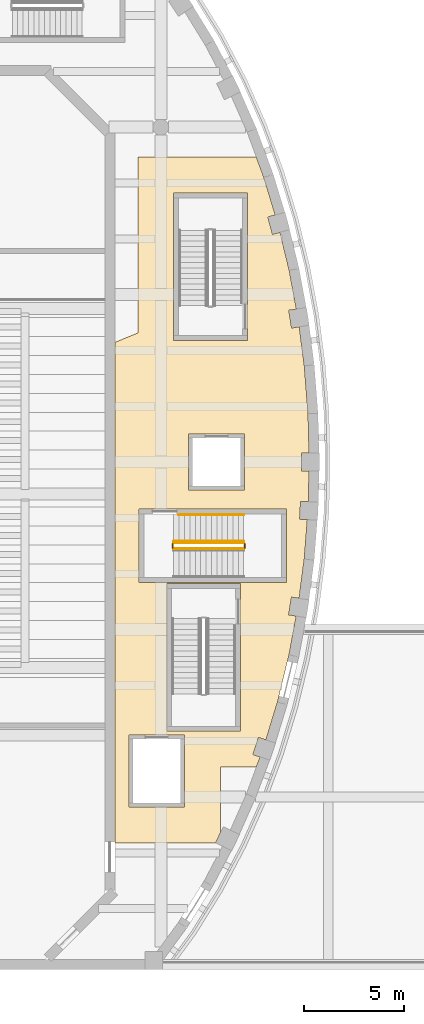
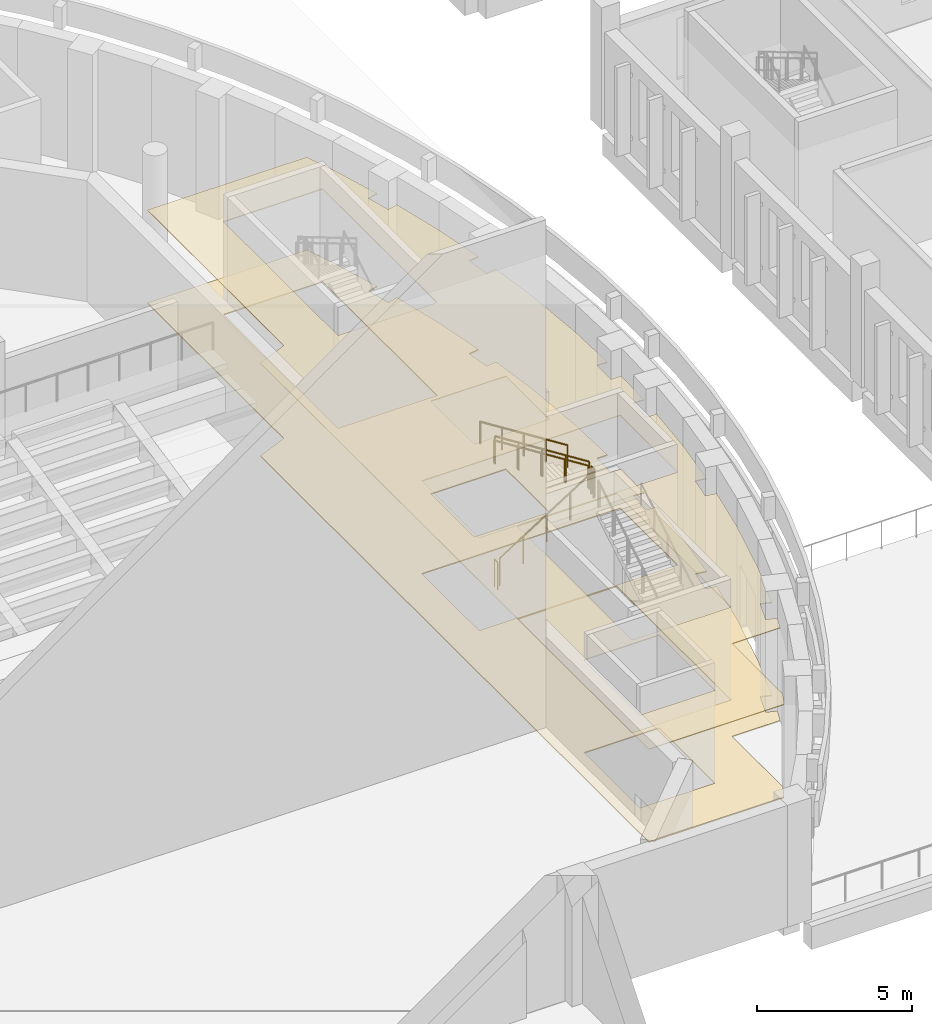
# One storey, part 104 of 119: 6 railings, 2 coverings.
"""IFC4 building model written with IfcOpenShell, lengths in metres."""

from ifc_helpers import new_model, si_unit, direction, frame, origin, origin_2d, place, context, subcontext, project, spatial, polyline, circle, outline, extrude, material, layer, layer_set, type_object, element, save


model = new_model("IFC4")

# Units and contexts
model_context = context("Model", 3, precision=1e-05, world=origin(), true_north=direction((0.0, 1.0)))
body_context = subcontext(model_context, "Body", "Model", "MODEL_VIEW")
ifc_project = project(units=[si_unit("LENGTHUNIT", "METRE"), si_unit("AREAUNIT", "SQUARE_METRE"), si_unit("VOLUMEUNIT", "CUBIC_METRE"), si_unit("PLANEANGLEUNIT", "RADIAN"), si_unit("MASSUNIT", "GRAM", prefix="KILO")], contexts=[model_context])

# Site, building, storey
site_placement = place(None, origin())
site = spatial("IfcSite", under=ifc_project, at=site_placement, CompositionType="ELEMENT")
building_placement = place(site_placement, origin())
building = spatial("IfcBuilding", under=site, at=building_placement, Name="Larchfold Concert Hall", CompositionType="ELEMENT")
storey_placement = place(building_placement, frame((0.0, 0.0, 4.800048828125)))
storey = spatial("IfcBuildingStorey", under=building, at=storey_placement, Name="L01", CompositionType="ELEMENT", Elevation=4.800048828125)

# Coverings
ifc_material_1 = material(Name="Plasterboard ceiling lining")
ifc_layer_1 = layer(ifc_material_1, 0.030029296875)
ifc_layer_set_1 = layer_set([ifc_layer_1], Name="Plasterboard ceiling lining")
covering_type_1 = type_object("IfcCoveringType", Name="Ceiling suspended plasterboard 30", PredefinedType="CEILING", material=ifc_layer_set_1)
covering_1_placement = place(storey_placement, frame((0.0, 0.0, 3.669921875)))
element("IfcCovering", 1, at=covering_1_placement, inside=storey, type_object=covering_type_1, Name="Ceiling Hall Foyer East", PredefinedType="CEILING", context=body_context, shape_type="SweptSolid", body=[
    extrude(outline(polyline([(58.24560546875, 91.080810546875), (57.10009765625, 90.606201171875), (57.10009765625, 65.5009765625), (62.1474609375, 65.5009765625), (62.399169921875, 66.0205078125), (62.3994140625, 69.29345703125), (62.408203125, 69.301025390625), (64.194091796875, 69.301025390625), (64.384521484375, 69.812255859375), (64.0185546875, 69.935791015625), (64.306884765625, 70.78857421875), (64.67333984375, 70.66455078125), (65.253662109375, 72.562255859375), (65.83203125, 74.927490234375), (66.1962890625, 76.87890625), (65.8134765625, 76.939697265625), (65.95458984375, 77.828369140625), (66.337646484375, 77.767578125), (66.5966796875, 79.73583984375), (66.751708984375, 81.716064453125), (66.3642578125, 81.736328125), (66.410888671875, 82.635009765625), (66.798583984375, 82.614990234375), (66.83837890625, 84.150146484375), (66.4501953125, 84.150146484375), (66.4501953125, 85.050048828125), (66.83837890625, 85.050048828125), (66.78759765625, 87.020263671875), (66.599853515625, 89.433837890625), (66.34423828125, 91.3876953125), (65.961181640625, 91.3271484375), (65.82080078125, 92.216064453125), (66.203857421875, 92.276611328125), (65.84423828125, 94.215087890625), (65.3798828125, 96.128173828125), (65.00634765625, 96.0263671875), (64.76953125, 96.89453125), (65.142822265625, 96.996337890625), (64.570068359375, 98.881591796875), (64.194091796875, 99.899169921875), (58.2509765625, 99.899169921875), (58.2509765625, 91.088623046875), (58.24560546875, 91.080810546875)]), holes=[polyline([(58.300048828125, 82.25), (65.699951171875, 82.25), (65.699951171875, 78.550048828125), (58.300048828125, 78.550048828125), (58.300048828125, 82.25)]), polyline([(60.050048828125, 90.699951171875), (60.050048828125, 98.10009765625), (63.75, 98.10009765625), (63.75, 90.699951171875), (60.050048828125, 90.699951171875)]), polyline([(60.800048828125, 86.0), (63.60009765625, 86.0), (63.60009765625, 83.199951171875), (60.800048828125, 83.199951171875), (60.800048828125, 86.0)]), polyline([(59.699951171875, 78.5), (63.39990234375, 78.5), (63.39990234375, 71.10009765625), (59.699951171875, 71.10009765625), (59.699951171875, 78.5)]), polyline([(57.800048828125, 67.300048828125), (57.800048828125, 70.89990234375), (60.60009765625, 70.89990234375), (60.60009765625, 67.300048828125), (57.800048828125, 67.300048828125)])]), origin(), (0.0, 0.0, 1.0), 0.030029296875),
])
ifc_material_2 = material(Name="Polished terrazzo")
ifc_layer_2 = layer(ifc_material_2, 0.0400390625)
ifc_layer_set_2 = layer_set([ifc_layer_2], Name="Polished terrazzo")
covering_type_2 = type_object("IfcCoveringType", Name="Floor finish terrazzo 40", PredefinedType="FLOORING", material=ifc_layer_set_2)
covering_2_placement = place(storey_placement, origin())
element("IfcCovering", 2, at=covering_2_placement, inside=storey, type_object=covering_type_2, Name="Floor finish Hall Foyer East", PredefinedType="FLOORING", context=body_context, shape_type="SweptSolid", body=[
    extrude(outline(polyline([(58.24560546875, 91.080810546875), (57.10009765625, 90.606201171875), (57.10009765625, 65.5009765625), (62.1474609375, 65.5009765625), (62.399169921875, 66.0205078125), (62.3994140625, 69.29345703125), (62.408203125, 69.301025390625), (64.194091796875, 69.301025390625), (64.384521484375, 69.812255859375), (64.0185546875, 69.935791015625), (64.306884765625, 70.78857421875), (64.67333984375, 70.66455078125), (65.253662109375, 72.562255859375), (65.83203125, 74.927490234375), (66.1962890625, 76.87890625), (65.8134765625, 76.939697265625), (65.95458984375, 77.828369140625), (66.337646484375, 77.767578125), (66.5966796875, 79.73583984375), (66.751708984375, 81.716064453125), (66.3642578125, 81.736328125), (66.410888671875, 82.635009765625), (66.798583984375, 82.614990234375), (66.83837890625, 84.150146484375), (66.4501953125, 84.150146484375), (66.4501953125, 85.050048828125), (66.83837890625, 85.050048828125), (66.78759765625, 87.020263671875), (66.599853515625, 89.433837890625), (66.34423828125, 91.3876953125), (65.961181640625, 91.3271484375), (65.82080078125, 92.216064453125), (66.203857421875, 92.276611328125), (65.84423828125, 94.215087890625), (65.3798828125, 96.128173828125), (65.00634765625, 96.0263671875), (64.76953125, 96.89453125), (65.142822265625, 96.996337890625), (64.570068359375, 98.881591796875), (64.194091796875, 99.899169921875), (58.2509765625, 99.899169921875), (58.2509765625, 91.088623046875), (58.24560546875, 91.080810546875)]), holes=[polyline([(58.300048828125, 82.25), (65.699951171875, 82.25), (65.699951171875, 78.550048828125), (58.300048828125, 78.550048828125), (58.300048828125, 82.25)]), polyline([(60.050048828125, 90.699951171875), (60.050048828125, 98.10009765625), (63.75, 98.10009765625), (63.75, 90.699951171875), (60.050048828125, 90.699951171875)]), polyline([(60.800048828125, 86.0), (63.60009765625, 86.0), (63.60009765625, 83.199951171875), (60.800048828125, 83.199951171875), (60.800048828125, 86.0)]), polyline([(59.699951171875, 78.5), (63.39990234375, 78.5), (63.39990234375, 71.10009765625), (59.699951171875, 71.10009765625), (59.699951171875, 78.5)]), polyline([(57.800048828125, 67.300048828125), (57.800048828125, 70.89990234375), (60.60009765625, 70.89990234375), (60.60009765625, 67.300048828125), (57.800048828125, 67.300048828125)])]), origin(), (0.0, 0.0, 1.0), 0.0400390625),
])

# Railings
ifc_material_3 = material(Name="Stainless steel balustrade", Category="steel")
railing_type_1 = type_object("IfcRailingType", Name="Stair guard 1100", PredefinedType="GUARDRAIL", material=ifc_material_3)
railing_1_placement = place(storey_placement, frame((60.050048828125, 80.25, 0.17138671875)))
element("IfcRailing", 3, at=railing_1_placement, inside=storey, type_object=railing_type_1, Name="Guard GR0031", PredefinedType="GUARDRAIL", context=body_context, shape_type="SweptSolid", body=[
    extrude(circle(Radius=0.02392578125, at=origin_2d()), frame((0.0, 0.0, 1.076171875), z_axis=(0.844219563411, 0.0, 0.53599750816), x_axis=(0.0, 1.0, 0.0)), (0.0, 0.0, 1.0), 4.15771484375),
    extrude(circle(Radius=0.02099609375, at=origin_2d()), origin(), (0.0, 0.0, 1.0), 1.052001953125),
    extrude(circle(Radius=0.02099609375, at=origin_2d()), frame((0.87744140625, 0.0, 0.55712890625)), (0.0, 0.0, 1.0), 1.052001953125),
    extrude(circle(Radius=0.02099609375, at=origin_2d()), frame((1.7548828125, 0.0, 1.1142578125)), (0.0, 0.0, 1.0), 1.052001953125),
    extrude(circle(Radius=0.02099609375, at=origin_2d()), frame((2.632568359375, 0.0, 1.67138671875)), (0.0, 0.0, 1.0), 1.052001953125),
    extrude(circle(Radius=0.02099609375, at=origin_2d()), frame((3.510009765625, 0.0, 2.228515625)), (0.0, 0.0, 1.0), 1.052001953125),
])
railing_2_placement = place(storey_placement, frame((63.610107421875, 80.300048828125, 2.39990234375)))
element("IfcRailing", 4, at=railing_2_placement, inside=storey, type_object=railing_type_1, Name="Guard GR0032", PredefinedType="GUARDRAIL", context=body_context, shape_type="SweptSolid", body=[
    extrude(circle(Radius=0.02392578125, at=origin_2d()), frame((0.0, 0.0, 1.076171875), z_axis=(0.0, 1.0, 0.0), x_axis=(-1.0, 0.0, 0.0)), (0.0, 0.0, 1.0), 0.199951171875),
    extrude(circle(Radius=0.02099609375, at=origin_2d()), origin(), (0.0, 0.0, 1.0), 1.052001953125),
    extrude(circle(Radius=0.02099609375, at=origin_2d()), frame((0.0, 0.199951171875, 0.0)), (0.0, 0.0, 1.0), 1.052001953125),
])
railing_3_placement = place(storey_placement, frame((63.56005859375, 80.550048828125, 2.5712890625)))
element("IfcRailing", 5, at=railing_3_placement, inside=storey, type_object=railing_type_1, Name="Guard GR0033", PredefinedType="GUARDRAIL", context=body_context, shape_type="SweptSolid", body=[
    extrude(circle(Radius=0.02392578125, at=origin_2d()), frame((0.0, 0.0, 1.076171875), z_axis=(-0.844192992368, 0.0, 0.536039356425), x_axis=(0.0, -1.0, 0.0)), (0.0, 0.0, 1.0), 4.15771484375),
    extrude(circle(Radius=0.02099609375, at=origin_2d()), origin(), (0.0, 0.0, 1.0), 1.052001953125),
    extrude(circle(Radius=0.02099609375, at=origin_2d()), frame((-0.87744140625, 0.0, 0.55712890625)), (0.0, 0.0, 1.0), 1.052001953125),
    extrude(circle(Radius=0.02099609375, at=origin_2d()), frame((-1.7548828125, 0.0, 1.1142578125)), (0.0, 0.0, 1.0), 1.052001953125),
    extrude(circle(Radius=0.02099609375, at=origin_2d()), frame((-2.632568359375, 0.0, 1.671630859375)), (0.0, 0.0, 1.0), 1.052001953125),
    extrude(circle(Radius=0.02099609375, at=origin_2d()), frame((-3.510009765625, 0.0, 2.228759765625)), (0.0, 0.0, 1.0), 1.052001953125),
])
railing_4_placement = place(storey_placement, frame((60.0, 80.300048828125, 0.0)))
element("IfcRailing", 6, at=railing_4_placement, inside=storey, type_object=railing_type_1, Name="Guard GR0034", PredefinedType="GUARDRAIL", context=body_context, shape_type="SweptSolid", body=[
    extrude(circle(Radius=0.02392578125, at=origin_2d()), frame((0.0, 0.0, 1.076171875), z_axis=(0.0, 1.0, 0.0), x_axis=(-1.0, 0.0, 0.0)), (0.0, 0.0, 1.0), 0.199951171875),
    extrude(circle(Radius=0.02099609375, at=origin_2d()), origin(), (0.0, 0.0, 1.0), 1.052001953125),
    extrude(circle(Radius=0.02099609375, at=origin_2d()), frame((0.0, 0.199951171875, 0.0)), (0.0, 0.0, 1.0), 1.052001953125),
])
ifc_material_4 = material(Name="Stainless steel handrail", Category="steel")
railing_type_2 = type_object("IfcRailingType", Name="Stair handrail 900", PredefinedType="HANDRAIL", material=ifc_material_4)
railing_5_placement = place(storey_placement, frame((63.56005859375, 81.949951171875, 2.5712890625)))
element("IfcRailing", 7, at=railing_5_placement, inside=storey, type_object=railing_type_2, Name="Handrail HR0030", PredefinedType="HANDRAIL", context=body_context, shape_type="SweptSolid", body=[
    extrude(circle(Radius=0.02392578125, at=origin_2d()), frame((0.0, 0.0, 0.8759765625), z_axis=(-0.844186931097, 0.0, 0.536048902027), x_axis=(0.0, -1.0, 0.0)), (0.0, 0.0, 1.0), 3.86181640625),
    extrude(circle(Radius=0.02099609375, at=origin_2d()), origin(), (0.0, 0.0, 1.0), 0.851806640625),
    extrude(circle(Radius=0.02099609375, at=origin_2d()), frame((-0.81494140625, 0.0, 0.517578125)), (0.0, 0.0, 1.0), 0.851806640625),
    extrude(circle(Radius=0.02099609375, at=origin_2d()), frame((-1.6298828125, 0.0, 1.03515625)), (0.0, 0.0, 1.0), 0.851806640625),
    extrude(circle(Radius=0.02099609375, at=origin_2d()), frame((-2.445068359375, 0.0, 1.552490234375)), (0.0, 0.0, 1.0), 0.851806640625),
    extrude(circle(Radius=0.02099609375, at=origin_2d()), frame((-3.260009765625, 0.0, 2.070068359375)), (0.0, 0.0, 1.0), 0.851806640625),
])
railing_6_placement = place(storey_placement, frame((63.56005859375, 80.6201171875, 2.5712890625)))
element("IfcRailing", 8, at=railing_6_placement, inside=storey, type_object=railing_type_2, Name="Handrail HR0032", PredefinedType="HANDRAIL", context=body_context, shape_type="SweptSolid", body=[
    extrude(circle(Radius=0.02392578125, at=origin_2d()), frame((0.0, 0.0, 0.8759765625), z_axis=(-0.844192992368, 0.0, 0.536039356425), x_axis=(0.0, -1.0, 0.0)), (0.0, 0.0, 1.0), 4.15771484375),
    extrude(circle(Radius=0.02099609375, at=origin_2d()), origin(), (0.0, 0.0, 1.0), 0.851806640625),
    extrude(circle(Radius=0.02099609375, at=origin_2d()), frame((-0.87744140625, 0.0, 0.55712890625)), (0.0, 0.0, 1.0), 0.851806640625),
    extrude(circle(Radius=0.02099609375, at=origin_2d()), frame((-1.7548828125, 0.0, 1.1142578125)), (0.0, 0.0, 1.0), 0.851806640625),
    extrude(circle(Radius=0.02099609375, at=origin_2d()), frame((-2.632568359375, 0.0, 1.671630859375)), (0.0, 0.0, 1.0), 0.851806640625),
    extrude(circle(Radius=0.02099609375, at=origin_2d()), frame((-3.510009765625, 0.0, 2.228759765625)), (0.0, 0.0, 1.0), 0.851806640625),
])

save(model, "model.ifc")
